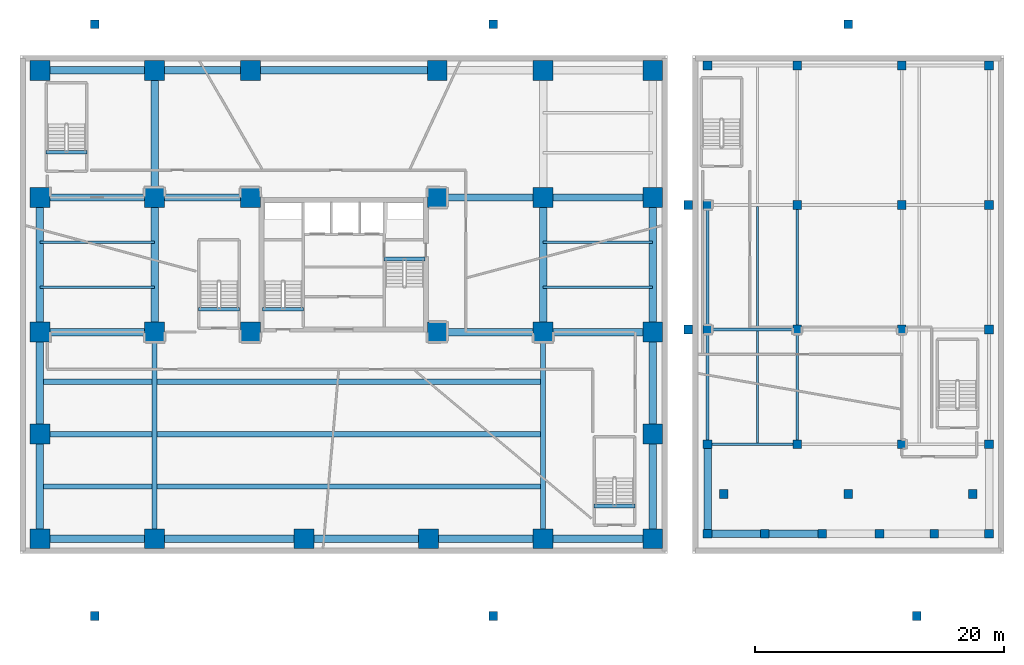
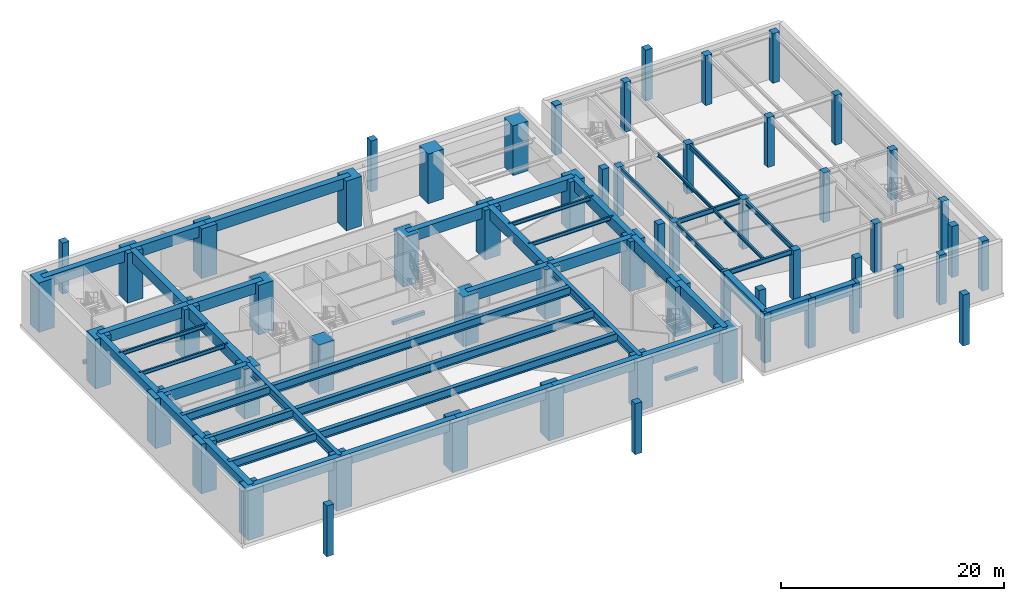
# One storey, part 1 of 12: 59 columns, 49 beams.
"""IFC4 building model written with IfcOpenShell, lengths in metres."""

from ifc_helpers import new_model, si_unit, direction, frame, origin, origin_2d, place, context, subcontext, project, spatial, rectangle, i_section, extrude, material, material_profile, profile_set, type_object, element, save


model = new_model("IFC4")

# Units and contexts
model_context = context("Model", 3, precision=1e-05, world=origin(), true_north=direction((0.0, 1.0)))
body_context = subcontext(model_context, "Body", "Model", "MODEL_VIEW")
ifc_project = project(units=[si_unit("LENGTHUNIT", "METRE"), si_unit("AREAUNIT", "SQUARE_METRE"), si_unit("VOLUMEUNIT", "CUBIC_METRE"), si_unit("PLANEANGLEUNIT", "RADIAN"), si_unit("MASSUNIT", "GRAM", prefix="KILO")], contexts=[model_context])

# Site, building, storey
site_placement = place(None, origin())
site = spatial("IfcSite", under=ifc_project, at=site_placement, CompositionType="ELEMENT")
building_placement = place(site_placement, origin())
building = spatial("IfcBuilding", under=site, at=building_placement, Name="Talar Marvaseh", CompositionType="ELEMENT")
storey_placement = place(building_placement, frame((0.0, 0.0, -5.800048828125)))
storey = spatial("IfcBuildingStorey", under=building, at=storey_placement, Name="B01", CompositionType="ELEMENT", Elevation=-5.800048828125)

# Columns
ifc_material_1 = material(Name="Concrete C40/50", Category="concrete")
ifc_material_profile_1 = material_profile(ifc_material_1, rectangle(XDim=0.699951171875, YDim=0.699951171875, at=origin_2d()), Name="RC700x700")
ifc_profile_set_1 = profile_set([ifc_material_profile_1], Name="Concrete C40/50")
column_type_1 = type_object("IfcColumnType", Name="Market Hall Column RC700x700", PredefinedType="COLUMN", material=ifc_profile_set_1)
for number, where, z_axis, x_axis, name in (
    (1, (6.0, 3.0, 0.0), (0.0, 0.0, 1.0), (1.0, 0.0, 0.0), "B01 Plaza Support Pier 1"),
    (2, (38.0, 3.0, 0.0), (0.0, 0.0, 1.0), (1.0, 0.0, 0.0), "B01 Plaza Support Pier 2"),
    (3, (72.0, 3.0, 0.0), (0.0, 0.0, 1.0), (1.0, 0.0, 0.0), "B01 Plaza Support Pier 3"),
    (4, (6.0, 50.5, 0.0), (0.0, 0.0, 1.0), (1.0, 0.0, 0.0), "B01 Plaza Support Pier 4"),
    (5, (38.0, 50.5, 0.0), (0.0, 0.0, 1.0), (1.0, 0.0, 0.0), "B01 Plaza Support Pier 5"),
    (6, (66.5, 50.5, 0.0), (0.0, 0.0, 1.0), (1.0, 0.0, 0.0), "B01 Plaza Support Pier 6"),
    (7, (56.5, 12.800048828125, 0.0), (0.0, 0.0, 1.0), (1.0, 0.0, 0.0), "B01 Plaza Support Pier 7"),
    (8, (66.5, 12.800048828125, 0.0), (0.0, 0.0, 1.0), (1.0, 0.0, 0.0), "B01 Plaza Support Pier 8"),
    (9, (76.5, 12.800048828125, 0.0), (0.0, 0.0, 1.0), (1.0, 0.0, 0.0), "B01 Plaza Support Pier 9"),
):
    element("IfcColumn", number, at=place(storey_placement, frame(where, z_axis=z_axis, x_axis=x_axis)), inside=storey, type_object=column_type_1, Name=name, PredefinedType="COLUMN", context=body_context, shape_type="SweptSolid", body=[
        extrude(rectangle(XDim=0.699951171875, YDim=0.699951171875, at=origin_2d()), origin(), (0.0, 0.0, 1.0), 5.5849609375),
    ])
for number, where, z_axis, x_axis, name in (
    (10, (55.199951171875, 16.800048828125, 0.0), (0.0, 0.0, 1.0), (1.0, 0.0, 0.0), "B01 Market Hall Column RC700x700"),
    (11, (55.199951171875, 26.0, 0.0), (0.0, 0.0, 1.0), (1.0, 0.0, 0.0), "B01 Market Hall Column RC700x700"),
    (12, (55.199951171875, 36.0, 0.0), (0.0, 0.0, 1.0), (1.0, 0.0, 0.0), "B01 Market Hall Column RC700x700"),
    (13, (55.199951171875, 47.199951171875, 0.0), (0.0, 0.0, 1.0), (1.0, 0.0, 0.0), "B01 Market Hall Column RC700x700"),
    (14, (62.39990234375, 16.800048828125, 0.0), (0.0, 0.0, 1.0), (1.0, 0.0, 0.0), "B01 Market Hall Column RC700x700"),
    (15, (62.39990234375, 26.0, 0.0), (0.0, 0.0, 1.0), (1.0, 0.0, 0.0), "B01 Market Hall Column RC700x700"),
    (16, (62.39990234375, 36.0, 0.0), (0.0, 0.0, 1.0), (1.0, 0.0, 0.0), "B01 Market Hall Column RC700x700"),
    (17, (62.39990234375, 47.199951171875, 0.0), (0.0, 0.0, 1.0), (1.0, 0.0, 0.0), "B01 Market Hall Column RC700x700"),
    (18, (70.800048828125, 16.800048828125, 0.0), (0.0, 0.0, 1.0), (1.0, 0.0, 0.0), "B01 Market Hall Column RC700x700"),
    (19, (70.800048828125, 26.0, 0.0), (0.0, 0.0, 1.0), (1.0, 0.0, 0.0), "B01 Market Hall Column RC700x700"),
    (20, (70.800048828125, 36.0, 0.0), (0.0, 0.0, 1.0), (1.0, 0.0, 0.0), "B01 Market Hall Column RC700x700"),
    (21, (70.800048828125, 47.199951171875, 0.0), (0.0, 0.0, 1.0), (1.0, 0.0, 0.0), "B01 Market Hall Column RC700x700"),
    (22, (77.800048828125, 16.800048828125, 0.0), (0.0, 0.0, 1.0), (1.0, 0.0, 0.0), "B01 Market Hall Column RC700x700"),
    (23, (77.800048828125, 26.0, 0.0), (0.0, 0.0, 1.0), (1.0, 0.0, 0.0), "B01 Market Hall Column RC700x700"),
    (24, (77.800048828125, 36.0, 0.0), (0.0, 0.0, 1.0), (1.0, 0.0, 0.0), "B01 Market Hall Column RC700x700"),
    (25, (77.800048828125, 47.199951171875, 0.0), (0.0, 0.0, 1.0), (1.0, 0.0, 0.0), "B01 Market Hall Column RC700x700"),
    (26, (55.199951171875, 9.60009765625, 0.0), (0.0, 0.0, 1.0), (1.0, 0.0, 0.0), "B01 Market Hall Column RC700x700"),
    (27, (59.800048828125, 9.60009765625, 0.0), (0.0, 0.0, 1.0), (1.0, 0.0, 0.0), "B01 Market Hall Column RC700x700"),
    (28, (64.39990234375, 9.60009765625, 0.0), (0.0, 0.0, 1.0), (1.0, 0.0, 0.0), "B01 Market Hall Column RC700x700"),
    (29, (69.0, 9.60009765625, 0.0), (0.0, 0.0, 1.0), (1.0, 0.0, 0.0), "B01 Market Hall Column RC700x700"),
    (30, (73.39990234375, 9.60009765625, 0.0), (0.0, 0.0, 1.0), (1.0, 0.0, 0.0), "B01 Market Hall Column RC700x700"),
    (31, (77.800048828125, 9.60009765625, 0.0), (0.0, 0.0, 1.0), (1.0, 0.0, 0.0), "B01 Market Hall Column RC700x700"),
):
    element("IfcColumn", number, at=place(storey_placement, frame(where, z_axis=z_axis, x_axis=x_axis)), inside=storey, type_object=column_type_1, Name=name, PredefinedType="COLUMN", context=body_context, shape_type="SweptSolid", body=[
        extrude(rectangle(XDim=0.699951171875, YDim=0.699951171875, at=origin_2d()), origin(), (0.0, 0.0, 1.0), 5.449951171875),
    ])
for number, where, z_axis, x_axis, name in (
    (32, (53.64990234375, 26.0, 0.0), (0.0, 0.0, 1.0), (1.0, 0.0, 0.0), "B01 Link Plaza Support Pier 1"),
    (33, (53.64990234375, 36.0, 0.0), (0.0, 0.0, 1.0), (1.0, 0.0, 0.0), "B01 Link Plaza Support Pier 2"),
):
    element("IfcColumn", number, at=place(storey_placement, frame(where, z_axis=z_axis, x_axis=x_axis)), inside=storey, type_object=column_type_1, Name=name, PredefinedType="COLUMN", context=body_context, shape_type="SweptSolid", body=[
        extrude(rectangle(XDim=0.699951171875, YDim=0.699951171875, at=origin_2d()), origin(), (0.0, 0.0, 1.0), 5.800048828125),
    ])
ifc_material_2 = material(Name="Concrete C70/85", Category="concrete")
ifc_material_profile_2 = material_profile(ifc_material_2, rectangle(XDim=1.60009765625, YDim=1.60009765625, at=origin_2d()), Name="RC1600x1600")
ifc_profile_set_2 = profile_set([ifc_material_profile_2], Name="Concrete C70/85")
column_type_2 = type_object("IfcColumnType", Name="Tower Mega Column RC1600x1600", PredefinedType="COLUMN", material=ifc_profile_set_2)
for number, where, z_axis, x_axis, name in (
    (34, (1.60009765625, 9.199951171875, 0.0), (0.0, 0.0, 1.0), (1.0, 0.0, 0.0), "B01 Tower Mega Column RC1600x1600"),
    (35, (1.60009765625, 17.60009765625, 0.0), (0.0, 0.0, 1.0), (1.0, 0.0, 0.0), "B01 Tower Mega Column RC1600x1600"),
    (36, (1.60009765625, 25.800048828125, 0.0), (0.0, 0.0, 1.0), (1.0, 0.0, 0.0), "B01 Tower Mega Column RC1600x1600"),
    (37, (1.60009765625, 36.60009765625, 0.0), (0.0, 0.0, 1.0), (1.0, 0.0, 0.0), "B01 Tower Mega Column RC1600x1600"),
    (38, (1.60009765625, 46.800048828125, 0.0), (0.0, 0.0, 1.0), (1.0, 0.0, 0.0), "B01 Tower Mega Column RC1600x1600"),
    (39, (50.800048828125, 9.199951171875, 0.0), (0.0, 0.0, 1.0), (1.0, 0.0, 0.0), "B01 Tower Mega Column RC1600x1600"),
    (40, (50.800048828125, 17.60009765625, 0.0), (0.0, 0.0, 1.0), (1.0, 0.0, 0.0), "B01 Tower Mega Column RC1600x1600"),
    (41, (50.800048828125, 25.800048828125, 0.0), (0.0, 0.0, 1.0), (1.0, 0.0, 0.0), "B01 Tower Mega Column RC1600x1600"),
    (42, (50.800048828125, 36.60009765625, 0.0), (0.0, 0.0, 1.0), (1.0, 0.0, 0.0), "B01 Tower Mega Column RC1600x1600"),
    (43, (50.800048828125, 46.800048828125, 0.0), (0.0, 0.0, 1.0), (1.0, 0.0, 0.0), "B01 Tower Mega Column RC1600x1600"),
    (44, (10.800048828125, 9.199951171875, 0.0), (0.0, 0.0, 1.0), (1.0, 0.0, 0.0), "B01 Tower Mega Column RC1600x1600"),
    (45, (22.800048828125, 9.199951171875, 0.0), (0.0, 0.0, 1.0), (1.0, 0.0, 0.0), "B01 Tower Mega Column RC1600x1600"),
    (46, (32.800048828125, 9.199951171875, 0.0), (0.0, 0.0, 1.0), (1.0, 0.0, 0.0), "B01 Tower Mega Column RC1600x1600"),
    (47, (42.0, 9.199951171875, 0.0), (0.0, 0.0, 1.0), (1.0, 0.0, 0.0), "B01 Tower Mega Column RC1600x1600"),
    (48, (10.800048828125, 46.800048828125, 0.0), (0.0, 0.0, 1.0), (1.0, 0.0, 0.0), "B01 Tower Mega Column RC1600x1600"),
    (49, (18.5, 46.800048828125, 0.0), (0.0, 0.0, 1.0), (1.0, 0.0, 0.0), "B01 Tower Mega Column RC1600x1600"),
    (50, (33.5, 46.800048828125, 0.0), (0.0, 0.0, 1.0), (1.0, 0.0, 0.0), "B01 Tower Mega Column RC1600x1600"),
    (51, (42.0, 46.800048828125, 0.0), (0.0, 0.0, 1.0), (1.0, 0.0, 0.0), "B01 Tower Mega Column RC1600x1600"),
    (52, (10.800048828125, 25.800048828125, 0.0), (0.0, 0.0, 1.0), (1.0, 0.0, 0.0), "B01 Tower Mega Column RC1600x1600"),
    (53, (10.800048828125, 36.60009765625, 0.0), (0.0, 0.0, 1.0), (1.0, 0.0, 0.0), "B01 Tower Mega Column RC1600x1600"),
    (54, (18.5, 25.800048828125, 0.0), (0.0, 0.0, 1.0), (1.0, 0.0, 0.0), "B01 Tower Mega Column RC1600x1600"),
    (55, (18.5, 36.60009765625, 0.0), (0.0, 0.0, 1.0), (1.0, 0.0, 0.0), "B01 Tower Mega Column RC1600x1600"),
    (56, (33.5, 25.800048828125, 0.0), (0.0, 0.0, 1.0), (1.0, 0.0, 0.0), "B01 Tower Mega Column RC1600x1600"),
    (57, (33.5, 36.60009765625, 0.0), (0.0, 0.0, 1.0), (1.0, 0.0, 0.0), "B01 Tower Mega Column RC1600x1600"),
    (58, (42.0, 25.800048828125, 0.0), (0.0, 0.0, 1.0), (1.0, 0.0, 0.0), "B01 Tower Mega Column RC1600x1600"),
    (59, (42.0, 36.60009765625, 0.0), (0.0, 0.0, 1.0), (1.0, 0.0, 0.0), "B01 Tower Mega Column RC1600x1600"),
):
    element("IfcColumn", number, at=place(storey_placement, frame(where, z_axis=z_axis, x_axis=x_axis)), inside=storey, type_object=column_type_2, Name=name, PredefinedType="COLUMN", context=body_context, shape_type="SweptSolid", body=[
        extrude(rectangle(XDim=1.60009765625, YDim=1.60009765625, at=origin_2d()), origin(), (0.0, 0.0, 1.0), 5.449951171875),
    ])

# Beams
ifc_material_3 = material(Name="Steel S460", Category="steel")
ifc_material_profile_3 = material_profile(ifc_material_3, i_section(OverallWidth=0.41796875, OverallDepth=0.912109375, WebThickness=0.019287109375, FlangeThickness=0.031982421875, at=origin_2d()), Name="W920x342")
ifc_profile_set_3 = profile_set([ifc_material_profile_3], Name="Steel S460")
beam_type_1 = type_object("IfcBeamType", Name="Auditorium Long-Span Girder W920x342", PredefinedType="BEAM", material=ifc_profile_set_3)
for number, where, z_axis, x_axis, name in (
    (60, (10.800048828125, 9.199951171875, 4.994140625), (0.0, 1.0, 0.0), (-1.0, 0.0, 0.0), "B01 Auditorium Long-Span Girder W920x342"),
    (61, (42.0, 9.199951171875, 4.994140625), (0.0, 1.0, 0.0), (-1.0, 0.0, 0.0), "B01 Auditorium Long-Span Girder W920x342"),
):
    element("IfcBeam", number, at=place(storey_placement, frame(where, z_axis=z_axis, x_axis=x_axis)), inside=storey, type_object=beam_type_1, Name=name, PredefinedType="BEAM", context=body_context, shape_type="SweptSolid", body=[
        extrude(i_section(OverallWidth=0.41796875, OverallDepth=0.912109375, WebThickness=0.019287109375, FlangeThickness=0.031982421875, at=origin_2d()), origin(), (0.0, 0.0, 1.0), 16.60009765625),
    ])
for number, where, z_axis, x_axis, name in (
    (62, (1.60009765625, 13.39990234375, 4.994140625), (1.0, 0.0, 0.0), (0.0, 1.0, 0.0), "B01 Auditorium Long-Span Girder W920x342"),
    (63, (1.60009765625, 17.60009765625, 4.994140625), (1.0, 0.0, 0.0), (0.0, 1.0, 0.0), "B01 Auditorium Long-Span Girder W920x342"),
    (64, (1.60009765625, 21.800048828125, 4.994140625), (1.0, 0.0, 0.0), (0.0, 1.0, 0.0), "B01 Auditorium Long-Span Girder W920x342"),
):
    element("IfcBeam", number, at=place(storey_placement, frame(where, z_axis=z_axis, x_axis=x_axis)), inside=storey, type_object=beam_type_1, Name=name, PredefinedType="BEAM", context=body_context, shape_type="SweptSolid", body=[
        extrude(i_section(OverallWidth=0.41796875, OverallDepth=0.912109375, WebThickness=0.019287109375, FlangeThickness=0.031982421875, at=origin_2d()), origin(), (0.0, 0.0, 1.0), 40.39990234375),
    ])
ifc_material_profile_4 = material_profile(ifc_material_1, rectangle(XDim=0.300048828125, YDim=0.360107421875, at=origin_2d()), Name="RC300x360")
ifc_profile_set_4 = profile_set([ifc_material_profile_4], Name="Concrete C40/50")
beam_type_2 = type_object("IfcBeamType", Name="Concrete Stair Landing Trimmer Beam RC300x360", PredefinedType="SPANDREL", material=ifc_profile_set_4)
for number, where, z_axis, x_axis, name in (
    (65, (22.780029296875, 27.6298828125, -0.179931640625), (-1.0, 0.0, 0.0), (0.0, -1.0, 0.0), "B01 ST-1 Stair Nosing Trimmer Beam"),
    (66, (29.219970703125, 31.669921875, -0.179931640625), (1.0, 0.0, 0.0), (0.0, 1.0, 0.0), "B01 ST-2 Stair Nosing Trimmer Beam"),
    (67, (17.6201171875, 27.6298828125, -0.179931640625), (-1.0, 0.0, 0.0), (0.0, -1.0, 0.0), "B01 ST-3 Stair Nosing Trimmer Beam"),
):
    element("IfcBeam", number, at=place(storey_placement, frame(where, z_axis=z_axis, x_axis=x_axis)), inside=storey, type_object=beam_type_2, Name=name, PredefinedType="SPANDREL", context=body_context, shape_type="SweptSolid", body=[
        extrude(rectangle(XDim=0.300048828125, YDim=0.360107421875, at=origin_2d()), origin(), (0.0, 0.0, 1.0), 3.300048828125),
    ])
for number, where, z_axis, x_axis, name in (
    (68, (5.3798828125, 40.22998046875, -0.179931640625), (-1.0, 0.0, 0.0), (0.0, -1.0, 0.0), "B01 STN-ST1 Stair Nosing Trimmer Beam"),
    (69, (49.3798828125, 11.830078125, -0.179931640625), (-1.0, 0.0, 0.0), (0.0, -1.0, 0.0), "B01 STN-ST2 Stair Nosing Trimmer Beam"),
):
    element("IfcBeam", number, at=place(storey_placement, frame(where, z_axis=z_axis, x_axis=x_axis)), inside=storey, type_object=beam_type_2, Name=name, PredefinedType="SPANDREL", context=body_context, shape_type="SweptSolid", body=[
        extrude(rectangle(XDim=0.300048828125, YDim=0.360107421875, at=origin_2d()), origin(), (0.0, 0.0, 1.0), 3.2998046875),
    ])
ifc_material_4 = material(Name="Steel S355", Category="steel")
ifc_material_profile_5 = material_profile(ifc_material_4, i_section(OverallWidth=0.2119140625, OverallDepth=0.5439453125, WebThickness=0.01318359375, FlangeThickness=0.021240234375, at=origin_2d()), Name="W530x123")
ifc_profile_set_5 = profile_set([ifc_material_profile_5], Name="Steel S355")
beam_type_3 = type_object("IfcBeamType", Name="Market Hall Primary Girder W530x123", PredefinedType="BEAM", material=ifc_profile_set_5)
for number, where, z_axis, x_axis, name in (
    (70, (55.199951171875, 16.800048828125, 5.177978515625), (1.0, 0.0, 0.0), (0.0, 1.0, 0.0), "B01 Market Hall Primary Girder W530x123"),
    (71, (55.199951171875, 26.0, 5.177978515625), (1.0, 0.0, 0.0), (0.0, 1.0, 0.0), "B01 Market Hall Primary Girder W530x123"),
):
    element("IfcBeam", number, at=place(storey_placement, frame(where, z_axis=z_axis, x_axis=x_axis)), inside=storey, type_object=beam_type_3, Name=name, PredefinedType="BEAM", context=body_context, shape_type="SweptSolid", body=[
        extrude(i_section(OverallWidth=0.2119140625, OverallDepth=0.5439453125, WebThickness=0.01318359375, FlangeThickness=0.021240234375, at=origin_2d()), origin(), (0.0, 0.0, 1.0), 7.199951171875),
    ])
beam_1_placement = place(storey_placement, frame((55.199951171875, 16.800048828125, 5.177978515625), z_axis=(0.0, 1.0, 0.0), x_axis=(-1.0, 0.0, 0.0)))
element("IfcBeam", 72, at=beam_1_placement, inside=storey, type_object=beam_type_3, Name="B01 Market Hall Primary Girder W530x123", PredefinedType="BEAM", context=body_context, shape_type="SweptSolid", body=[
    extrude(i_section(OverallWidth=0.2119140625, OverallDepth=0.5439453125, WebThickness=0.01318359375, FlangeThickness=0.021240234375, at=origin_2d()), origin(), (0.0, 0.0, 1.0), 9.199951171875),
])
beam_2_placement = place(storey_placement, frame((55.199951171875, 26.0, 5.177978515625), z_axis=(0.0, 1.0, 0.0), x_axis=(-1.0, 0.0, 0.0)))
element("IfcBeam", 73, at=beam_2_placement, inside=storey, type_object=beam_type_3, Name="B01 Market Hall Primary Girder W530x123", PredefinedType="BEAM", context=body_context, shape_type="SweptSolid", body=[
    extrude(i_section(OverallWidth=0.2119140625, OverallDepth=0.5439453125, WebThickness=0.01318359375, FlangeThickness=0.021240234375, at=origin_2d()), origin(), (0.0, 0.0, 1.0), 10.0),
])
beam_3_placement = place(storey_placement, frame((62.39990234375, 16.800048828125, 5.177978515625), z_axis=(0.0, 1.0, 0.0), x_axis=(-1.0, 0.0, 0.0)))
element("IfcBeam", 74, at=beam_3_placement, inside=storey, type_object=beam_type_3, Name="B01 Market Hall Primary Girder W530x123", PredefinedType="BEAM", context=body_context, shape_type="SweptSolid", body=[
    extrude(i_section(OverallWidth=0.2119140625, OverallDepth=0.5439453125, WebThickness=0.01318359375, FlangeThickness=0.021240234375, at=origin_2d()), origin(), (0.0, 0.0, 1.0), 9.199951171875),
])
beam_4_placement = place(storey_placement, frame((62.39990234375, 26.0, 5.177978515625), z_axis=(0.0, 1.0, 0.0), x_axis=(-1.0, 0.0, 0.0)))
element("IfcBeam", 75, at=beam_4_placement, inside=storey, type_object=beam_type_3, Name="B01 Market Hall Primary Girder W530x123", PredefinedType="BEAM", context=body_context, shape_type="SweptSolid", body=[
    extrude(i_section(OverallWidth=0.2119140625, OverallDepth=0.5439453125, WebThickness=0.01318359375, FlangeThickness=0.021240234375, at=origin_2d()), origin(), (0.0, 0.0, 1.0), 10.0),
])
ifc_material_5 = material(Name="Concrete C50/60", Category="concrete")
ifc_material_profile_6 = material_profile(ifc_material_5, rectangle(XDim=0.60009765625, YDim=1.199951171875, at=origin_2d()), Name="RC600x1200")
ifc_profile_set_6 = profile_set([ifc_material_profile_6], Name="Concrete C50/60")
beam_type_4 = type_object("IfcBeamType", Name="Substructure Concrete Frame Beam RC600x1200", PredefinedType="BEAM", material=ifc_profile_set_6)
beam_5_placement = place(storey_placement, frame((1.60009765625, 9.199951171875, 4.85009765625), z_axis=(1.0, 0.0, 0.0), x_axis=(0.0, 1.0, 0.0)))
element("IfcBeam", 76, at=beam_5_placement, inside=storey, type_object=beam_type_4, Name="B01 Substructure Concrete Frame Beam RC600x1200", PredefinedType="BEAM", context=body_context, shape_type="SweptSolid", body=[
    extrude(rectangle(XDim=0.60009765625, YDim=1.199951171875, at=origin_2d()), origin(), (0.0, 0.0, 1.0), 9.199951171875),
])
beam_6_placement = place(storey_placement, frame((10.800048828125, 9.199951171875, 4.85009765625), z_axis=(1.0, 0.0, 0.0), x_axis=(0.0, 1.0, 0.0)))
element("IfcBeam", 77, at=beam_6_placement, inside=storey, type_object=beam_type_4, Name="B01 Substructure Concrete Frame Beam RC600x1200", PredefinedType="BEAM", context=body_context, shape_type="SweptSolid", body=[
    extrude(rectangle(XDim=0.60009765625, YDim=1.199951171875, at=origin_2d()), origin(), (0.0, 0.0, 1.0), 12.0),
])
beam_7_placement = place(storey_placement, frame((22.800048828125, 9.199951171875, 4.85009765625), z_axis=(1.0, 0.0, 0.0), x_axis=(0.0, 1.0, 0.0)))
element("IfcBeam", 78, at=beam_7_placement, inside=storey, type_object=beam_type_4, Name="B01 Substructure Concrete Frame Beam RC600x1200", PredefinedType="BEAM", context=body_context, shape_type="SweptSolid", body=[
    extrude(rectangle(XDim=0.60009765625, YDim=1.199951171875, at=origin_2d()), origin(), (0.0, 0.0, 1.0), 10.0),
])
beam_8_placement = place(storey_placement, frame((32.800048828125, 9.199951171875, 4.85009765625), z_axis=(1.0, 0.0, 0.0), x_axis=(0.0, 1.0, 0.0)))
element("IfcBeam", 79, at=beam_8_placement, inside=storey, type_object=beam_type_4, Name="B01 Substructure Concrete Frame Beam RC600x1200", PredefinedType="BEAM", context=body_context, shape_type="SweptSolid", body=[
    extrude(rectangle(XDim=0.60009765625, YDim=1.199951171875, at=origin_2d()), origin(), (0.0, 0.0, 1.0), 9.199951171875),
])
beam_9_placement = place(storey_placement, frame((42.0, 9.199951171875, 4.85009765625), z_axis=(1.0, 0.0, 0.0), x_axis=(0.0, 1.0, 0.0)))
element("IfcBeam", 80, at=beam_9_placement, inside=storey, type_object=beam_type_4, Name="B01 Substructure Concrete Frame Beam RC600x1200", PredefinedType="BEAM", context=body_context, shape_type="SweptSolid", body=[
    extrude(rectangle(XDim=0.60009765625, YDim=1.199951171875, at=origin_2d()), origin(), (0.0, 0.0, 1.0), 8.800048828125),
])
beam_10_placement = place(storey_placement, frame((1.60009765625, 25.800048828125, 4.85009765625), z_axis=(1.0, 0.0, 0.0), x_axis=(0.0, 1.0, 0.0)))
element("IfcBeam", 81, at=beam_10_placement, inside=storey, type_object=beam_type_4, Name="B01 Substructure Concrete Frame Beam RC600x1200", PredefinedType="BEAM", context=body_context, shape_type="SweptSolid", body=[
    extrude(rectangle(XDim=0.60009765625, YDim=1.199951171875, at=origin_2d()), origin(), (0.0, 0.0, 1.0), 9.199951171875),
])
beam_11_placement = place(storey_placement, frame((33.5, 25.800048828125, 4.85009765625), z_axis=(1.0, 0.0, 0.0), x_axis=(0.0, 1.0, 0.0)))
element("IfcBeam", 82, at=beam_11_placement, inside=storey, type_object=beam_type_4, Name="B01 Substructure Concrete Frame Beam RC600x1200", PredefinedType="BEAM", context=body_context, shape_type="SweptSolid", body=[
    extrude(rectangle(XDim=0.60009765625, YDim=1.199951171875, at=origin_2d()), origin(), (0.0, 0.0, 1.0), 8.5),
])
beam_12_placement = place(storey_placement, frame((42.0, 25.800048828125, 4.85009765625), z_axis=(1.0, 0.0, 0.0), x_axis=(0.0, 1.0, 0.0)))
element("IfcBeam", 83, at=beam_12_placement, inside=storey, type_object=beam_type_4, Name="B01 Substructure Concrete Frame Beam RC600x1200", PredefinedType="BEAM", context=body_context, shape_type="SweptSolid", body=[
    extrude(rectangle(XDim=0.60009765625, YDim=1.199951171875, at=origin_2d()), origin(), (0.0, 0.0, 1.0), 8.800048828125),
])
beam_13_placement = place(storey_placement, frame((1.60009765625, 36.60009765625, 4.85009765625), z_axis=(1.0, 0.0, 0.0), x_axis=(0.0, 1.0, 0.0)))
element("IfcBeam", 84, at=beam_13_placement, inside=storey, type_object=beam_type_4, Name="B01 Substructure Concrete Frame Beam RC600x1200", PredefinedType="BEAM", context=body_context, shape_type="SweptSolid", body=[
    extrude(rectangle(XDim=0.60009765625, YDim=1.199951171875, at=origin_2d()), origin(), (0.0, 0.0, 1.0), 9.199951171875),
])
beam_14_placement = place(storey_placement, frame((10.800048828125, 36.60009765625, 4.85009765625), z_axis=(1.0, 0.0, 0.0), x_axis=(0.0, 1.0, 0.0)))
element("IfcBeam", 85, at=beam_14_placement, inside=storey, type_object=beam_type_4, Name="B01 Substructure Concrete Frame Beam RC600x1200", PredefinedType="BEAM", context=body_context, shape_type="SweptSolid", body=[
    extrude(rectangle(XDim=0.60009765625, YDim=1.199951171875, at=origin_2d()), origin(), (0.0, 0.0, 1.0), 7.699951171875),
])
beam_15_placement = place(storey_placement, frame((33.5, 36.60009765625, 4.85009765625), z_axis=(1.0, 0.0, 0.0), x_axis=(0.0, 1.0, 0.0)))
element("IfcBeam", 86, at=beam_15_placement, inside=storey, type_object=beam_type_4, Name="B01 Substructure Concrete Frame Beam RC600x1200", PredefinedType="BEAM", context=body_context, shape_type="SweptSolid", body=[
    extrude(rectangle(XDim=0.60009765625, YDim=1.199951171875, at=origin_2d()), origin(), (0.0, 0.0, 1.0), 8.5),
])
beam_16_placement = place(storey_placement, frame((42.0, 36.60009765625, 4.85009765625), z_axis=(1.0, 0.0, 0.0), x_axis=(0.0, 1.0, 0.0)))
element("IfcBeam", 87, at=beam_16_placement, inside=storey, type_object=beam_type_4, Name="B01 Substructure Concrete Frame Beam RC600x1200", PredefinedType="BEAM", context=body_context, shape_type="SweptSolid", body=[
    extrude(rectangle(XDim=0.60009765625, YDim=1.199951171875, at=origin_2d()), origin(), (0.0, 0.0, 1.0), 8.800048828125),
])
beam_17_placement = place(storey_placement, frame((1.60009765625, 46.800048828125, 4.85009765625), z_axis=(1.0, 0.0, 0.0), x_axis=(0.0, 1.0, 0.0)))
element("IfcBeam", 88, at=beam_17_placement, inside=storey, type_object=beam_type_4, Name="B01 Substructure Concrete Frame Beam RC600x1200", PredefinedType="BEAM", context=body_context, shape_type="SweptSolid", body=[
    extrude(rectangle(XDim=0.60009765625, YDim=1.199951171875, at=origin_2d()), origin(), (0.0, 0.0, 1.0), 9.199951171875),
])
beam_18_placement = place(storey_placement, frame((10.800048828125, 46.800048828125, 4.85009765625), z_axis=(1.0, 0.0, 0.0), x_axis=(0.0, 1.0, 0.0)))
element("IfcBeam", 89, at=beam_18_placement, inside=storey, type_object=beam_type_4, Name="B01 Substructure Concrete Frame Beam RC600x1200", PredefinedType="BEAM", context=body_context, shape_type="SweptSolid", body=[
    extrude(rectangle(XDim=0.60009765625, YDim=1.199951171875, at=origin_2d()), origin(), (0.0, 0.0, 1.0), 7.699951171875),
])
beam_19_placement = place(storey_placement, frame((18.5, 46.800048828125, 4.85009765625), z_axis=(1.0, 0.0, 0.0), x_axis=(0.0, 1.0, 0.0)))
element("IfcBeam", 90, at=beam_19_placement, inside=storey, type_object=beam_type_4, Name="B01 Substructure Concrete Frame Beam RC600x1200", PredefinedType="BEAM", context=body_context, shape_type="SweptSolid", body=[
    extrude(rectangle(XDim=0.60009765625, YDim=1.199951171875, at=origin_2d()), origin(), (0.0, 0.0, 1.0), 15.0),
])
beam_20_placement = place(storey_placement, frame((1.60009765625, 9.199951171875, 4.85009765625), z_axis=(0.0, 1.0, 0.0), x_axis=(-1.0, 0.0, 0.0)))
element("IfcBeam", 91, at=beam_20_placement, inside=storey, type_object=beam_type_4, Name="B01 Substructure Concrete Frame Beam RC600x1200", PredefinedType="BEAM", context=body_context, shape_type="SweptSolid", body=[
    extrude(rectangle(XDim=0.60009765625, YDim=1.199951171875, at=origin_2d()), origin(), (0.0, 0.0, 1.0), 8.400146484375),
])
beam_21_placement = place(storey_placement, frame((1.60009765625, 17.60009765625, 4.85009765625), z_axis=(0.0, 1.0, 0.0), x_axis=(-1.0, 0.0, 0.0)))
element("IfcBeam", 92, at=beam_21_placement, inside=storey, type_object=beam_type_4, Name="B01 Substructure Concrete Frame Beam RC600x1200", PredefinedType="BEAM", context=body_context, shape_type="SweptSolid", body=[
    extrude(rectangle(XDim=0.60009765625, YDim=1.199951171875, at=origin_2d()), origin(), (0.0, 0.0, 1.0), 8.199951171875),
])
for number, where, z_axis, x_axis, name in (
    (93, (1.60009765625, 25.800048828125, 4.85009765625), (0.0, 1.0, 0.0), (-1.0, 0.0, 0.0), "B01 Substructure Concrete Frame Beam RC600x1200"),
    (94, (10.800048828125, 25.800048828125, 4.85009765625), (0.0, 1.0, 0.0), (-1.0, 0.0, 0.0), "B01 Substructure Concrete Frame Beam RC600x1200"),
):
    element("IfcBeam", number, at=place(storey_placement, frame(where, z_axis=z_axis, x_axis=x_axis)), inside=storey, type_object=beam_type_4, Name=name, PredefinedType="BEAM", context=body_context, shape_type="SweptSolid", body=[
        extrude(rectangle(XDim=0.60009765625, YDim=1.199951171875, at=origin_2d()), origin(), (0.0, 0.0, 1.0), 10.800048828125),
    ])
beam_22_placement = place(storey_placement, frame((10.800048828125, 36.60009765625, 4.85009765625), z_axis=(0.0, 1.0, 0.0), x_axis=(-1.0, 0.0, 0.0)))
element("IfcBeam", 95, at=beam_22_placement, inside=storey, type_object=beam_type_4, Name="B01 Substructure Concrete Frame Beam RC600x1200", PredefinedType="BEAM", context=body_context, shape_type="SweptSolid", body=[
    extrude(rectangle(XDim=0.60009765625, YDim=1.199951171875, at=origin_2d()), origin(), (0.0, 0.0, 1.0), 10.199951171875),
])
beam_23_placement = place(storey_placement, frame((42.0, 25.800048828125, 4.85009765625), z_axis=(0.0, 1.0, 0.0), x_axis=(-1.0, 0.0, 0.0)))
element("IfcBeam", 96, at=beam_23_placement, inside=storey, type_object=beam_type_4, Name="B01 Substructure Concrete Frame Beam RC600x1200", PredefinedType="BEAM", context=body_context, shape_type="SweptSolid", body=[
    extrude(rectangle(XDim=0.60009765625, YDim=1.199951171875, at=origin_2d()), origin(), (0.0, 0.0, 1.0), 10.800048828125),
])
beam_24_placement = place(storey_placement, frame((50.800048828125, 9.199951171875, 4.85009765625), z_axis=(0.0, 1.0, 0.0), x_axis=(-1.0, 0.0, 0.0)))
element("IfcBeam", 97, at=beam_24_placement, inside=storey, type_object=beam_type_4, Name="B01 Substructure Concrete Frame Beam RC600x1200", PredefinedType="BEAM", context=body_context, shape_type="SweptSolid", body=[
    extrude(rectangle(XDim=0.60009765625, YDim=1.199951171875, at=origin_2d()), origin(), (0.0, 0.0, 1.0), 8.400146484375),
])
beam_25_placement = place(storey_placement, frame((50.800048828125, 17.60009765625, 4.85009765625), z_axis=(0.0, 1.0, 0.0), x_axis=(-1.0, 0.0, 0.0)))
element("IfcBeam", 98, at=beam_25_placement, inside=storey, type_object=beam_type_4, Name="B01 Substructure Concrete Frame Beam RC600x1200", PredefinedType="BEAM", context=body_context, shape_type="SweptSolid", body=[
    extrude(rectangle(XDim=0.60009765625, YDim=1.199951171875, at=origin_2d()), origin(), (0.0, 0.0, 1.0), 8.199951171875),
])
beam_26_placement = place(storey_placement, frame((50.800048828125, 25.800048828125, 4.85009765625), z_axis=(0.0, 1.0, 0.0), x_axis=(-1.0, 0.0, 0.0)))
element("IfcBeam", 99, at=beam_26_placement, inside=storey, type_object=beam_type_4, Name="B01 Substructure Concrete Frame Beam RC600x1200", PredefinedType="BEAM", context=body_context, shape_type="SweptSolid", body=[
    extrude(rectangle(XDim=0.60009765625, YDim=1.199951171875, at=origin_2d()), origin(), (0.0, 0.0, 1.0), 10.800048828125),
])
beam_27_placement = place(storey_placement, frame((55.199951171875, 9.60009765625, 4.85009765625), z_axis=(1.0, 0.0, 0.0), x_axis=(0.0, 1.0, 0.0)))
element("IfcBeam", 100, at=beam_27_placement, inside=storey, type_object=beam_type_4, Name="B01 Substructure Concrete Frame Beam RC600x1200", PredefinedType="BEAM", context=body_context, shape_type="SweptSolid", body=[
    extrude(rectangle(XDim=0.60009765625, YDim=1.199951171875, at=origin_2d()), origin(), (0.0, 0.0, 1.0), 4.60009765625),
])
beam_28_placement = place(storey_placement, frame((59.800048828125, 9.60009765625, 4.85009765625), z_axis=(1.0, 0.0, 0.0), x_axis=(0.0, 1.0, 0.0)))
element("IfcBeam", 101, at=beam_28_placement, inside=storey, type_object=beam_type_4, Name="B01 Substructure Concrete Frame Beam RC600x1200", PredefinedType="BEAM", context=body_context, shape_type="SweptSolid", body=[
    extrude(rectangle(XDim=0.60009765625, YDim=1.199951171875, at=origin_2d()), origin(), (0.0, 0.0, 1.0), 4.599853515625),
])
beam_29_placement = place(storey_placement, frame((55.199951171875, 9.60009765625, 4.85009765625), z_axis=(0.0, 1.0, 0.0), x_axis=(-1.0, 0.0, 0.0)))
element("IfcBeam", 102, at=beam_29_placement, inside=storey, type_object=beam_type_4, Name="B01 Substructure Concrete Frame Beam RC600x1200", PredefinedType="BEAM", context=body_context, shape_type="SweptSolid", body=[
    extrude(rectangle(XDim=0.60009765625, YDim=1.199951171875, at=origin_2d()), origin(), (0.0, 0.0, 1.0), 7.199951171875),
])
ifc_material_profile_7 = material_profile(ifc_material_4, i_section(OverallWidth=0.179931640625, OverallDepth=0.4130859375, WebThickness=0.009765625, FlangeThickness=0.01611328125, at=origin_2d()), Name="W410x75")
ifc_profile_set_7 = profile_set([ifc_material_profile_7], Name="Steel S355")
beam_type_5 = type_object("IfcBeamType", Name="Zone 1 Secondary Floor Joist W410x75", PredefinedType="JOIST", material=ifc_profile_set_7)
beam_30_placement = place(storey_placement, frame((1.60009765625, 29.39990234375, 5.24365234375), z_axis=(1.0, 0.0, 0.0), x_axis=(0.0, 1.0, 0.0)))
element("IfcBeam", 103, at=beam_30_placement, inside=storey, type_object=beam_type_5, Name="B01 Zone 1 Secondary Floor Joist W410x75", PredefinedType="JOIST", context=body_context, shape_type="SweptSolid", body=[
    extrude(i_section(OverallWidth=0.179931640625, OverallDepth=0.4130859375, WebThickness=0.009765625, FlangeThickness=0.01611328125, at=origin_2d()), origin(), (0.0, 0.0, 1.0), 9.199951171875),
])
beam_31_placement = place(storey_placement, frame((42.0, 29.39990234375, 5.24365234375), z_axis=(1.0, 0.0, 0.0), x_axis=(0.0, 1.0, 0.0)))
element("IfcBeam", 104, at=beam_31_placement, inside=storey, type_object=beam_type_5, Name="B01 Zone 1 Secondary Floor Joist W410x75", PredefinedType="JOIST", context=body_context, shape_type="SweptSolid", body=[
    extrude(i_section(OverallWidth=0.179931640625, OverallDepth=0.4130859375, WebThickness=0.009765625, FlangeThickness=0.01611328125, at=origin_2d()), origin(), (0.0, 0.0, 1.0), 8.800048828125),
])
beam_32_placement = place(storey_placement, frame((1.60009765625, 33.0, 5.24365234375), z_axis=(1.0, 0.0, 0.0), x_axis=(0.0, 1.0, 0.0)))
element("IfcBeam", 105, at=beam_32_placement, inside=storey, type_object=beam_type_5, Name="B01 Zone 1 Secondary Floor Joist W410x75", PredefinedType="JOIST", context=body_context, shape_type="SweptSolid", body=[
    extrude(i_section(OverallWidth=0.179931640625, OverallDepth=0.4130859375, WebThickness=0.009765625, FlangeThickness=0.01611328125, at=origin_2d()), origin(), (0.0, 0.0, 1.0), 9.199951171875),
])
beam_33_placement = place(storey_placement, frame((42.0, 33.0, 5.24365234375), z_axis=(1.0, 0.0, 0.0), x_axis=(0.0, 1.0, 0.0)))
element("IfcBeam", 106, at=beam_33_placement, inside=storey, type_object=beam_type_5, Name="B01 Zone 1 Secondary Floor Joist W410x75", PredefinedType="JOIST", context=body_context, shape_type="SweptSolid", body=[
    extrude(i_section(OverallWidth=0.179931640625, OverallDepth=0.4130859375, WebThickness=0.009765625, FlangeThickness=0.01611328125, at=origin_2d()), origin(), (0.0, 0.0, 1.0), 8.800048828125),
])
ifc_material_profile_8 = material_profile(ifc_material_4, i_section(OverallWidth=0.172119140625, OverallDepth=0.35791015625, WebThickness=0.0078125, FlangeThickness=0.01318359375, at=origin_2d()), Name="W360x57")
ifc_profile_set_8 = profile_set([ifc_material_profile_8], Name="Steel S355")
beam_type_6 = type_object("IfcBeamType", Name="Zone 2 Secondary Floor Joist W360x57", PredefinedType="JOIST", material=ifc_profile_set_8)
beam_34_placement = place(storey_placement, frame((59.199951171875, 16.905029296875, 5.27099609375), z_axis=(0.0, 1.0, 0.0), x_axis=(-1.0, 0.0, 0.0)))
element("IfcBeam", 107, at=beam_34_placement, inside=storey, type_object=beam_type_6, Name="B01 Zone 2 Secondary Floor Joist W360x57", PredefinedType="JOIST", context=body_context, shape_type="SweptSolid", body=[
    extrude(i_section(OverallWidth=0.172119140625, OverallDepth=0.35791015625, WebThickness=0.0078125, FlangeThickness=0.01318359375, at=origin_2d()), origin(), (0.0, 0.0, 1.0), 8.989990234375),
])
beam_35_placement = place(storey_placement, frame((59.199951171875, 26.10498046875, 5.27099609375), z_axis=(0.0, 1.0, 0.0), x_axis=(-1.0, 0.0, 0.0)))
element("IfcBeam", 108, at=beam_35_placement, inside=storey, type_object=beam_type_6, Name="B01 Zone 2 Secondary Floor Joist W360x57", PredefinedType="JOIST", context=body_context, shape_type="SweptSolid", body=[
    extrude(i_section(OverallWidth=0.172119140625, OverallDepth=0.35791015625, WebThickness=0.0078125, FlangeThickness=0.01318359375, at=origin_2d()), origin(), (0.0, 0.0, 1.0), 9.7900390625),
])

save(model, "model.ifc")
